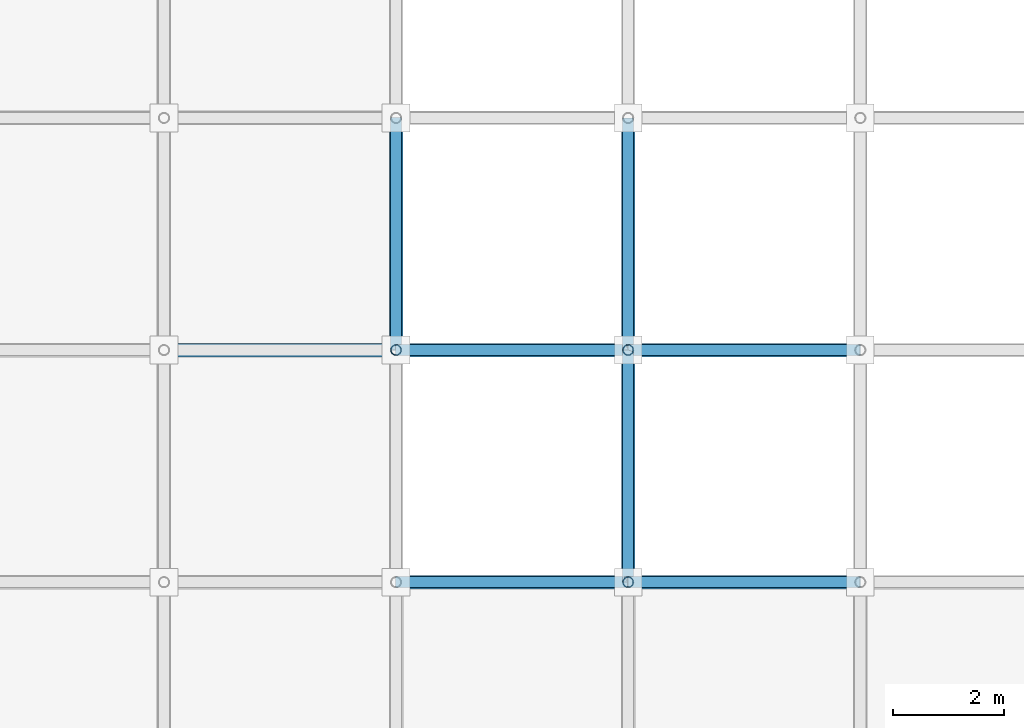
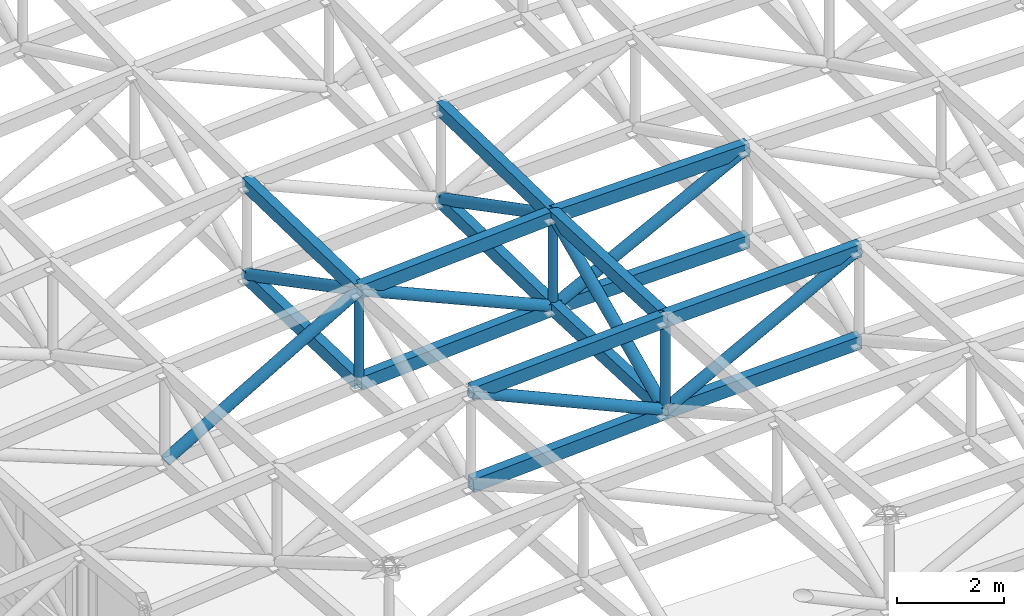
# One storey, part 31 of 123: 25 members.
"""IFC4 building model written with IfcOpenShell, lengths in metres."""

import ifcopenshell
import ifcopenshell.guid

model = None  # the IFC model being written
_history = None  # IfcOwnerHistory: only IFC2X3 demands one
_inside = {}  # id of a spatial element -> (the spatial element, [elements in it])
_under = {}  # id of a project, library or spatial element -> (it, [spatial elements below it])
_declared = {}  # id of a project -> (the project, [libraries it declares])
_typed = {}  # id of a type object -> (the type object, [elements of that type])
_made_of = {}  # id of a material, layer set ... -> (it, [elements and type objects made of it])


def new_model(schema):
    """Start an empty IFC model of exactly this schema.

    Asked for "IFC4X3", IfcOpenShell would pick the latest addendum, in which some entities
    have other attributes; the version numbers below select the first issue.
    IFC2X3 requires an IfcOwnerHistory on every rooted entity: one is made here for all.
    """
    global model, _history
    if schema == "IFC4X3":
        model = ifcopenshell.file(schema_version=(4, 3, 0, 0))
    else:
        model = ifcopenshell.file(schema=schema)
    _inside.clear()
    _under.clear()
    _declared.clear()
    _typed.clear()
    _made_of.clear()
    _history = None
    if model.schema == "IFC2X3":
        org = make("IfcOrganization", Name="unknown")
        user = make(
            "IfcPersonAndOrganization",
            ThePerson=make("IfcPerson", FamilyName="unknown"),
            TheOrganization=org,
        )
        app = make(
            "IfcApplication",
            ApplicationDeveloper=org,
            Version="unknown",
            ApplicationFullName="unknown",
            ApplicationIdentifier="unknown",
        )
        _history = make(
            "IfcOwnerHistory",
            OwningUser=user,
            OwningApplication=app,
            ChangeAction="ADDED",
            CreationDate=0,
        )
    return model


def make(cls, **values):
    """One entity of the class cls with the attributes given. An attribute that is None is left unset."""
    return model.create_entity(
        cls, **{name: value for name, value in values.items() if value is not None}
    )


def rooted(cls, **values):
    """An entity with a GlobalId (a new one), such as an element, a storey or a relation."""
    return make(cls, GlobalId=ifcopenshell.guid.new(), OwnerHistory=_history, **values)


def si_unit(unit_type, name, prefix=None):
    """IfcSIUnit, for example si_unit("LENGTHUNIT", "METRE", prefix="MILLI")."""
    return make("IfcSIUnit", UnitType=unit_type, Prefix=prefix, Name=name)


def assignment(units):
    """IfcUnitAssignment: the units of a project."""
    return None if units is None else make("IfcUnitAssignment", Units=units)


def point(xyz):
    """IfcCartesianPoint."""
    return None if xyz is None else make("IfcCartesianPoint", Coordinates=xyz)


def direction(xyz):
    """IfcDirection."""
    return None if xyz is None else make("IfcDirection", DirectionRatios=xyz)


def frame(location, z_axis=None, x_axis=None):
    """IfcAxis2Placement3D, a coordinate frame: its origin and axes. An axis left out is left unset."""
    return make(
        "IfcAxis2Placement3D",
        Location=point(location),
        Axis=direction(z_axis),
        RefDirection=direction(x_axis),
    )


def frame_2d(location, x_axis=None):
    """IfcAxis2Placement2D, a coordinate frame in the plane: its origin and x axis."""
    return make(
        "IfcAxis2Placement2D", Location=point(location), RefDirection=direction(x_axis)
    )


def origin():
    """The frame at (0, 0, 0) with its axes left unset."""
    return frame((0.0, 0.0, 0.0))


def origin_2d():
    """The frame at (0, 0) in the plane with its x axis left unset."""
    return frame_2d((0.0, 0.0))


def place(relative_to, where):
    """IfcLocalPlacement: puts the frame where relative to a parent placement (None: the world)."""
    return make(
        "IfcLocalPlacement", PlacementRelTo=relative_to, RelativePlacement=where
    )


def context(
    kind, dimensions, precision=None, world=None, true_north=None, identifier=None
):
    """IfcGeometricRepresentationContext, for example the 3D "Model" context."""
    return make(
        "IfcGeometricRepresentationContext",
        ContextIdentifier=identifier,
        ContextType=kind,
        CoordinateSpaceDimension=dimensions,
        Precision=precision,
        WorldCoordinateSystem=world,
        TrueNorth=true_north,
    )


def subcontext(parent, identifier, kind, view, scale=None):
    """IfcGeometricRepresentationSubContext, for example "Body" below "Model"."""
    return make(
        "IfcGeometricRepresentationSubContext",
        ContextIdentifier=identifier,
        ContextType=kind,
        ParentContext=parent,
        TargetScale=scale,
        TargetView=view,
    )


def project(units=None, contexts=None):
    """IfcProject with its units and contexts."""
    return rooted(
        "IfcProject",
        Name="project",
        RepresentationContexts=contexts,
        UnitsInContext=assignment(units),
    )


def spatial(cls, under=None, at=None, **own):
    """A site, building, storey or space (cls), placed at a placement, below another one or the project."""
    s = rooted(cls, ObjectPlacement=at, **own)
    if under is not None:
        _under.setdefault(under.id(), (under, []))[1].append(s)
    return s


def profile(cls, at=None, kind="AREA", **sizes):
    """A parametric profile (cls). Its sizes go by their IFC names, for example OverallWidth=200.0."""
    return make(cls, ProfileType=kind, Position=at, **sizes)


def hollow_rectangle(**sizes):
    """IfcRectangleHollowProfileDef."""
    return profile("IfcRectangleHollowProfileDef", **sizes)


def hollow_circle(**sizes):
    """IfcCircleHollowProfileDef."""
    return profile("IfcCircleHollowProfileDef", **sizes)


def extrude(swept, where, along, depth):
    """IfcExtrudedAreaSolid: the profile swept, set in the frame where, extruded along a direction by depth."""
    return make(
        "IfcExtrudedAreaSolid",
        SweptArea=swept,
        Position=where,
        ExtrudedDirection=direction(along),
        Depth=depth,
    )


def shape(context_of_items, identifier, shape_type, items):
    """IfcShapeRepresentation: the items that make up one representation, for example the "Body"."""
    return make(
        "IfcShapeRepresentation",
        ContextOfItems=context_of_items,
        RepresentationIdentifier=identifier,
        RepresentationType=shape_type,
        Items=items,
    )


def material(Name=None, Category=None):
    """IfcMaterial."""
    return make("IfcMaterial", Name=Name, Category=Category)


def material_profile(
    of_material, cross_section, Name=None, Category=None, Priority=None
):
    """IfcMaterialProfile: a cross section and its material."""
    return make(
        "IfcMaterialProfile",
        Name=Name,
        Material=of_material,
        Profile=cross_section,
        Priority=Priority,
        Category=Category,
    )


def profile_set(profiles, Name=None, composite=None):
    """IfcMaterialProfileSet."""
    return make(
        "IfcMaterialProfileSet",
        Name=Name,
        MaterialProfiles=profiles,
        CompositeProfile=composite,
    )


def made_of(thing, what):
    """Note that an element or type object is made of a material, layer set ...; save() writes the relation."""
    if what is not None:
        _made_of.setdefault(what.id(), (what, []))[1].append(thing)
    return thing


def type_object(cls, material=None, **own):
    """A type object (cls), such as IfcWallType, which elements share."""
    return made_of(rooted(cls, **own), material)


def element(
    cls,
    number,
    at=None,
    inside=None,
    cuts=None,
    type_object=None,
    material=None,
    context=None,
    identifier="Body",
    shape_type=None,
    held_by="IfcProductDefinitionShape",
    body=None,
    shapes=None,
    **own,
):
    """One element of the class cls, such as IfcWall. Its Tag is "e" and its number.

    at: its placement. inside: the storey or other place that contains it. cuts: it is an
    opening in that element (IfcRelVoidsElement). A single representation is given by context,
    identifier, shape_type and body (its items); several are given by shapes. held_by: the class
    of the entity that holds the representations. save() writes the other relations.
    """
    e = rooted(cls, Tag="e%d" % number, ObjectPlacement=at, **own)
    if body is not None:
        shapes = [shape(context, identifier, shape_type, body)]
    if shapes is not None:
        e.Representation = make(held_by, Representations=shapes)
    if inside is not None:
        _inside.setdefault(inside.id(), (inside, []))[1].append(e)
    if cuts is not None:
        rooted(
            "IfcRelVoidsElement", RelatingBuildingElement=cuts, RelatedOpeningElement=e
        )
    if type_object is not None:
        _typed.setdefault(type_object.id(), (type_object, []))[1].append(e)
    return made_of(e, material)


def aggregate(whole, parts):
    """IfcRelAggregates: a whole, such as a stair, and the parts it consists of."""
    return rooted("IfcRelAggregates", RelatingObject=whole, RelatedObjects=parts)


def save(model, path):
    """Write the relations noted so far, then the file.

    IfcRelAggregates (storeys below a building ...), IfcRelContainedInSpatialStructure (elements
    in a storey), IfcRelDefinesByType, IfcRelAssociatesMaterial and IfcRelDeclares: one each for
    every whole, place, type object, material and project.
    """
    for whole, parts in _under.values():
        aggregate(whole, parts)
    for where, things in _inside.values():
        rooted(
            "IfcRelContainedInSpatialStructure",
            RelatedElements=things,
            RelatingStructure=where,
        )
    for kind, things in _typed.values():
        rooted("IfcRelDefinesByType", RelatedObjects=things, RelatingType=kind)
    for what, things in _made_of.values():
        rooted("IfcRelAssociatesMaterial", RelatedObjects=things, RelatingMaterial=what)
    for by, libraries in _declared.values():
        rooted("IfcRelDeclares", RelatingContext=by, RelatedDefinitions=libraries)
    model.write(path)


model = new_model("IFC4")

# Units and contexts
model_context = context("Model", 3, precision=1e-05, world=origin(), true_north=direction((0.0, 1.0)))
body_context = subcontext(model_context, "Body", "Model", "MODEL_VIEW")
ifc_project = project(units=[si_unit("LENGTHUNIT", "METRE"), si_unit("AREAUNIT", "SQUARE_METRE"), si_unit("VOLUMEUNIT", "CUBIC_METRE"), si_unit("PLANEANGLEUNIT", "RADIAN"), si_unit("MASSUNIT", "GRAM", prefix="KILO")], contexts=[model_context])

# Site, building, storey
site_placement = place(None, origin())
site = spatial("IfcSite", under=ifc_project, at=site_placement, CompositionType="ELEMENT")
building_placement = place(site_placement, origin())
building = spatial("IfcBuilding", under=site, at=building_placement, Name="Cumbredor Promenade Congress Hotel", CompositionType="ELEMENT")
storey_placement = place(building_placement, frame((0.0, 0.0, 11.760009765625)))
storey = spatial("IfcBuildingStorey", under=building, at=storey_placement, Name="L03", CompositionType="ELEMENT", Elevation=11.760009765625)

# Members
ifc_material = material(Name="Steel ASTM A500 Grade C", Category="steel")
ifc_material_profile_1 = material_profile(ifc_material, hollow_rectangle(XDim=0.199951171875, YDim=0.300048828125, WallThickness=0.012451171875, at=origin_2d()), Name="HSS 300x200x12.5")
ifc_profile_set_1 = profile_set([ifc_material_profile_1], Name="Steel ASTM A500 Grade C")
member_type_1 = type_object("IfcMemberType", Name="Ballroom Roof Space Frame Chord", PredefinedType="CHORD", material=ifc_profile_set_1)
for number, where, z_axis, x_axis, name in (
    (1, (151.199951171875, 25.199951171875, 6.37548828125), (0.998616064852, 0.0, 0.052592347541), (0.0, 1.0, 0.0), "Grand Ballroom Pavilion X Top Chord 4.7"),
    (2, (151.199951171875, 25.199951171875, 4.275390625), (0.998616064852, 0.0, 0.052592347541), (0.0, 1.0, 0.0), "Grand Ballroom Pavilion X Bottom Chord 4.7"),
):
    element("IfcMember", number, at=place(storey_placement, frame(where, z_axis=z_axis, x_axis=x_axis)), inside=storey, type_object=member_type_1, Name=name, PredefinedType="CHORD", context=body_context, shape_type="SweptSolid", body=[
        extrude(hollow_rectangle(XDim=0.199951171875, YDim=0.300048828125, WallThickness=0.012451171875, at=origin_2d()), origin(), (0.0, 0.0, 1.0), 4.205810546875),
    ])
for number, where, z_axis, x_axis, name in (
    (3, (155.39990234375, 25.199951171875, 6.5966796875), (0.999500444885, 0.0, 0.031604757151), (0.0, 1.0, 0.0), "Grand Ballroom Pavilion X Top Chord 5.7"),
    (4, (155.39990234375, 25.199951171875, 4.49658203125), (0.999500444885, 0.0, 0.031604757151), (0.0, 1.0, 0.0), "Grand Ballroom Pavilion X Bottom Chord 5.7"),
):
    element("IfcMember", number, at=place(storey_placement, frame(where, z_axis=z_axis, x_axis=x_axis)), inside=storey, type_object=member_type_1, Name=name, PredefinedType="CHORD", context=body_context, shape_type="SweptSolid", body=[
        extrude(hollow_rectangle(XDim=0.199951171875, YDim=0.300048828125, WallThickness=0.012451171875, at=origin_2d()), origin(), (0.0, 0.0, 1.0), 4.202392578125),
    ])
for number, where, z_axis, x_axis, name in (
    (5, (151.199951171875, 29.39990234375, 6.1708984375), (0.998250278263, 0.0, 0.059130211797), (0.0, 1.0, 0.0), "Grand Ballroom Pavilion X Top Chord 4.8"),
    (6, (151.199951171875, 29.39990234375, 4.07080078125), (0.998246851415, 0.0, 0.059188036298), (0.0, 1.0, 0.0), "Grand Ballroom Pavilion X Bottom Chord 4.8"),
):
    element("IfcMember", number, at=place(storey_placement, frame(where, z_axis=z_axis, x_axis=x_axis)), inside=storey, type_object=member_type_1, Name=name, PredefinedType="CHORD", context=body_context, shape_type="SweptSolid", body=[
        extrude(hollow_rectangle(XDim=0.199951171875, YDim=0.300048828125, WallThickness=0.012451171875, at=origin_2d()), origin(), (0.0, 0.0, 1.0), 4.207275390625),
    ])
for number, where, z_axis, x_axis, name in (
    (7, (155.39990234375, 29.39990234375, 6.419677734375), (0.999864731747, 0.0, 0.016447437752), (0.0, 1.0, 0.0), "Grand Ballroom Pavilion X Top Chord 5.8"),
    (8, (155.39990234375, 29.39990234375, 4.31982421875), (0.999865685825, 0.0, 0.016389335236), (0.0, 1.0, 0.0), "Grand Ballroom Pavilion X Bottom Chord 5.8"),
):
    element("IfcMember", number, at=place(storey_placement, frame(where, z_axis=z_axis, x_axis=x_axis)), inside=storey, type_object=member_type_1, Name=name, PredefinedType="CHORD", context=body_context, shape_type="SweptSolid", body=[
        extrude(hollow_rectangle(XDim=0.199951171875, YDim=0.300048828125, WallThickness=0.012451171875, at=origin_2d()), origin(), (0.0, 0.0, 1.0), 4.20068359375),
    ])
for number, where, z_axis, x_axis, name in (
    (9, (151.199951171875, 29.39990234375, 6.1708984375), (0.0, 0.999703553702, -0.024347581318), (-1.0, 0.0, 0.0), "Grand Ballroom Pavilion Y Top Chord 4.8"),
    (10, (151.199951171875, 29.39990234375, 4.07080078125), (0.0, 0.999704966406, -0.024289506856), (-1.0, 0.0, 0.0), "Grand Ballroom Pavilion Y Bottom Chord 4.8"),
):
    element("IfcMember", number, at=place(storey_placement, frame(where, z_axis=z_axis, x_axis=x_axis)), inside=storey, type_object=member_type_1, Name=name, PredefinedType="CHORD", context=body_context, shape_type="SweptSolid", body=[
        extrude(hollow_rectangle(XDim=0.199951171875, YDim=0.300048828125, WallThickness=0.012451171875, at=origin_2d()), origin(), (0.0, 0.0, 1.0), 4.201416015625),
    ])
for number, where, z_axis, x_axis, name in (
    (11, (155.39990234375, 25.199951171875, 6.5966796875), (0.0, 0.999113130752, -0.042106436075), (-1.0, 0.0, 0.0), "Grand Ballroom Pavilion Y Top Chord 5.7"),
    (12, (155.39990234375, 25.199951171875, 4.49658203125), (0.0, 0.999115572358, -0.042048460989), (-1.0, 0.0, 0.0), "Grand Ballroom Pavilion Y Bottom Chord 5.7"),
):
    element("IfcMember", number, at=place(storey_placement, frame(where, z_axis=z_axis, x_axis=x_axis)), inside=storey, type_object=member_type_1, Name=name, PredefinedType="CHORD", context=body_context, shape_type="SweptSolid", body=[
        extrude(hollow_rectangle(XDim=0.199951171875, YDim=0.300048828125, WallThickness=0.012451171875, at=origin_2d()), origin(), (0.0, 0.0, 1.0), 4.20361328125),
    ])
for number, where, z_axis, x_axis, name in (
    (13, (155.39990234375, 29.39990234375, 6.419677734375), (0.0, 0.999778698634, -0.021036961689), (-1.0, 0.0, 0.0), "Grand Ballroom Pavilion Y Top Chord 5.8"),
    (14, (155.39990234375, 29.39990234375, 4.31982421875), (0.0, 0.999778698634, -0.021036961689), (-1.0, 0.0, 0.0), "Grand Ballroom Pavilion Y Bottom Chord 5.8"),
):
    element("IfcMember", number, at=place(storey_placement, frame(where, z_axis=z_axis, x_axis=x_axis)), inside=storey, type_object=member_type_1, Name=name, PredefinedType="CHORD", context=body_context, shape_type="SweptSolid", body=[
        extrude(hollow_rectangle(XDim=0.199951171875, YDim=0.300048828125, WallThickness=0.012451171875, at=origin_2d()), origin(), (0.0, 0.0, 1.0), 4.201171875),
    ])
ifc_material_profile_2 = material_profile(ifc_material, hollow_circle(Radius=0.122314453125, WallThickness=0.012451171875, at=origin_2d()), Name="CHS 244.5x12.5")
ifc_profile_set_2 = profile_set([ifc_material_profile_2], Name="Steel ASTM A500 Grade C")
member_type_2 = type_object("IfcMemberType", Name="Space Frame Web Diagonal D2", PredefinedType="BRACE", material=ifc_profile_set_2)
member_1_placement = place(storey_placement, frame((151.199951171875, 25.199951171875, 6.37548828125), z_axis=(0.912819813426, 0.0, -0.408362569559), x_axis=(0.0, 1.0, 0.0)))
element("IfcMember", 15, at=member_1_placement, inside=storey, type_object=member_type_2, Name="Grand Ballroom Pavilion X Web Diagonal 4.7", PredefinedType="BRACE", context=body_context, shape_type="SweptSolid", body=[
    extrude(hollow_circle(Radius=0.122314453125, WallThickness=0.012451171875, at=origin_2d()), origin(), (0.0, 0.0, 1.0), 4.60107421875),
])
member_2_placement = place(storey_placement, frame((155.39990234375, 25.199951171875, 4.49658203125), z_axis=(0.882980121251, 0.0, 0.469410380665), x_axis=(0.0, 1.0, 0.0)))
element("IfcMember", 16, at=member_2_placement, inside=storey, type_object=member_type_2, Name="Grand Ballroom Pavilion X Web Diagonal 5.7", PredefinedType="BRACE", context=body_context, shape_type="SweptSolid", body=[
    extrude(hollow_circle(Radius=0.122314453125, WallThickness=0.012451171875, at=origin_2d()), origin(), (0.0, 0.0, 1.0), 4.7568359375),
])
member_3_placement = place(storey_placement, frame((147.0, 29.39990234375, 3.72265625), z_axis=(0.863933683263, 0.0, 0.503605590639), x_axis=(0.0, 1.0, 0.0)))
element("IfcMember", 17, at=member_3_placement, inside=storey, type_object=member_type_2, Name="Grand Ballroom Pavilion X Web Diagonal 3.8", PredefinedType="BRACE", context=body_context, shape_type="SweptSolid", body=[
    extrude(hollow_circle(Radius=0.122314453125, WallThickness=0.012451171875, at=origin_2d()), origin(), (0.0, 0.0, 1.0), 4.861328125),
])
member_4_placement = place(storey_placement, frame((151.199951171875, 29.39990234375, 6.1708984375), z_axis=(0.915066223457, 0.0, -0.403303616012), x_axis=(0.0, 1.0, 0.0)))
element("IfcMember", 18, at=member_4_placement, inside=storey, type_object=member_type_2, Name="Grand Ballroom Pavilion X Web Diagonal 4.8", PredefinedType="BRACE", context=body_context, shape_type="SweptSolid", body=[
    extrude(hollow_circle(Radius=0.122314453125, WallThickness=0.012451171875, at=origin_2d()), origin(), (0.0, 0.0, 1.0), 4.58984375),
])
member_5_placement = place(storey_placement, frame((155.39990234375, 29.39990234375, 4.31982421875), z_axis=(0.888525577939, 0.0, 0.458827088724), x_axis=(0.0, 1.0, 0.0)))
element("IfcMember", 19, at=member_5_placement, inside=storey, type_object=member_type_2, Name="Grand Ballroom Pavilion X Web Diagonal 5.8", PredefinedType="BRACE", context=body_context, shape_type="SweptSolid", body=[
    extrude(hollow_circle(Radius=0.122314453125, WallThickness=0.012451171875, at=origin_2d()), origin(), (0.0, 0.0, 1.0), 4.72705078125),
])
member_6_placement = place(storey_placement, frame((151.199951171875, 29.39990234375, 6.1708984375), z_axis=(0.0, 0.885654131787, -0.464345516666), x_axis=(-1.0, 0.0, 0.0)))
element("IfcMember", 20, at=member_6_placement, inside=storey, type_object=member_type_2, Name="Grand Ballroom Pavilion Y Web Diagonal 4.8", PredefinedType="BRACE", context=body_context, shape_type="SweptSolid", body=[
    extrude(hollow_circle(Radius=0.122314453125, WallThickness=0.012451171875, at=origin_2d()), origin(), (0.0, 0.0, 1.0), 4.742431640625),
])
member_7_placement = place(storey_placement, frame((155.39990234375, 25.199951171875, 4.49658203125), z_axis=(0.0, 0.909219071228, 0.416318004073), x_axis=(-1.0, 0.0, 0.0)))
element("IfcMember", 21, at=member_7_placement, inside=storey, type_object=member_type_2, Name="Grand Ballroom Pavilion Y Web Diagonal 5.7", PredefinedType="BRACE", context=body_context, shape_type="SweptSolid", body=[
    extrude(hollow_circle(Radius=0.122314453125, WallThickness=0.012451171875, at=origin_2d()), origin(), (0.0, 0.0, 1.0), 4.619384765625),
])
member_8_placement = place(storey_placement, frame((155.39990234375, 29.39990234375, 6.419677734375), z_axis=(0.0, 0.886859518815, -0.462039169213), x_axis=(-1.0, 0.0, 0.0)))
element("IfcMember", 22, at=member_8_placement, inside=storey, type_object=member_type_2, Name="Grand Ballroom Pavilion Y Web Diagonal 5.8", PredefinedType="BRACE", context=body_context, shape_type="SweptSolid", body=[
    extrude(hollow_circle(Radius=0.122314453125, WallThickness=0.012451171875, at=origin_2d()), origin(), (0.0, 0.0, 1.0), 4.736083984375),
])
ifc_material_profile_3 = material_profile(ifc_material, hollow_circle(Radius=0.096923828125, WallThickness=0.010009765625, at=origin_2d()), Name="CHS 193.7x10")
ifc_profile_set_3 = profile_set([ifc_material_profile_3], Name="Steel ASTM A500 Grade C")
member_type_3 = type_object("IfcMemberType", Name="Space Frame Web Post P1", PredefinedType="BRACE", material=ifc_profile_set_3)
for number, where, z_axis, x_axis, name in (
    (23, (151.199951171875, 29.39990234375, 4.07080078125), (0.0, 0.0, 1.0), (1.0, 0.0, 0.0), "Grand Ballroom Pavilion Space Frame Web Post 4.8"),
    (24, (155.39990234375, 25.199951171875, 4.49658203125), (0.0, 0.0, 1.0), (1.0, 0.0, 0.0), "Grand Ballroom Pavilion Space Frame Web Post 5.7"),
):
    element("IfcMember", number, at=place(storey_placement, frame(where, z_axis=z_axis, x_axis=x_axis)), inside=storey, type_object=member_type_3, Name=name, PredefinedType="BRACE", context=body_context, shape_type="SweptSolid", body=[
        extrude(hollow_circle(Radius=0.096923828125, WallThickness=0.010009765625, at=origin_2d()), origin(), (0.0, 0.0, 1.0), 2.10009765625),
    ])
member_9_placement = place(storey_placement, frame((155.39990234375, 29.39990234375, 4.31982421875), z_axis=(0.0, 0.0, 1.0), x_axis=(1.0, 0.0, 0.0)))
element("IfcMember", 25, at=member_9_placement, inside=storey, type_object=member_type_3, Name="Grand Ballroom Pavilion Space Frame Web Post 5.8", PredefinedType="BRACE", context=body_context, shape_type="SweptSolid", body=[
    extrude(hollow_circle(Radius=0.096923828125, WallThickness=0.010009765625, at=origin_2d()), origin(), (0.0, 0.0, 1.0), 2.099853515625),
])

save(model, "model.ifc")
